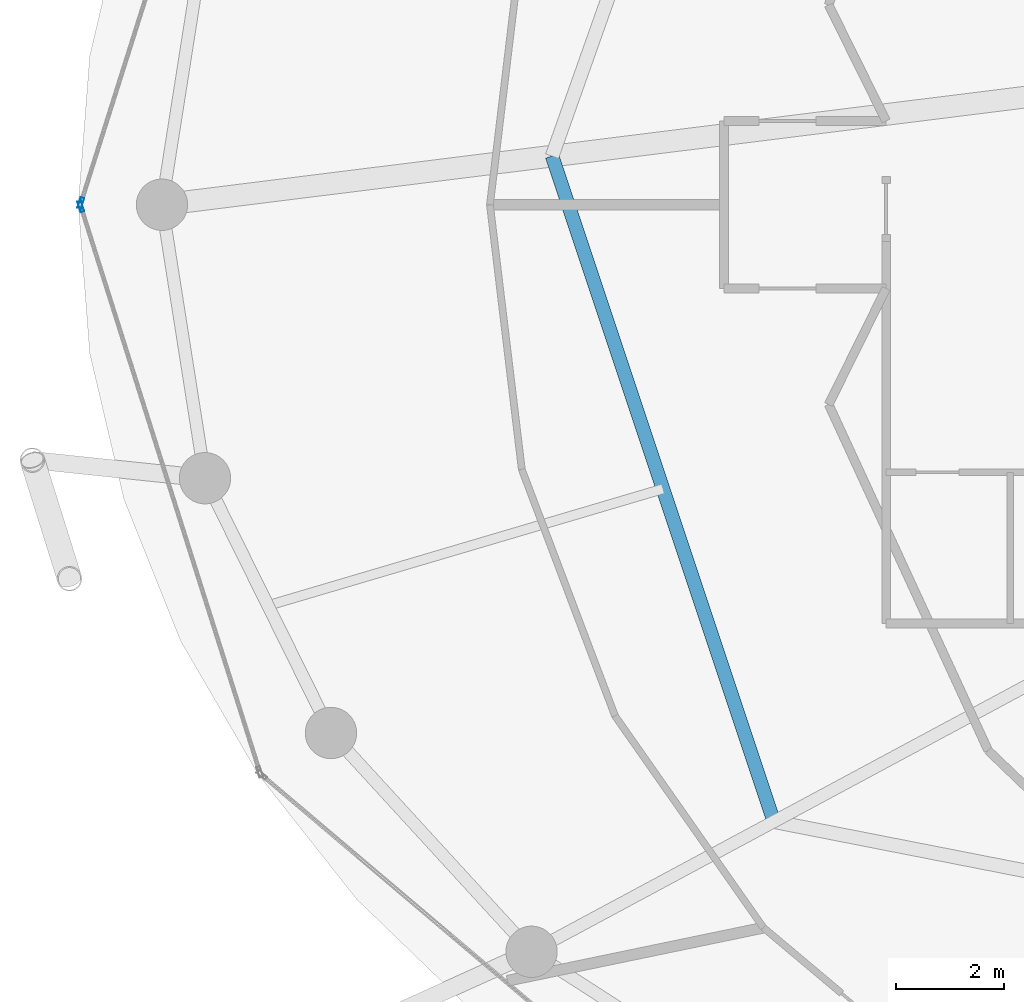
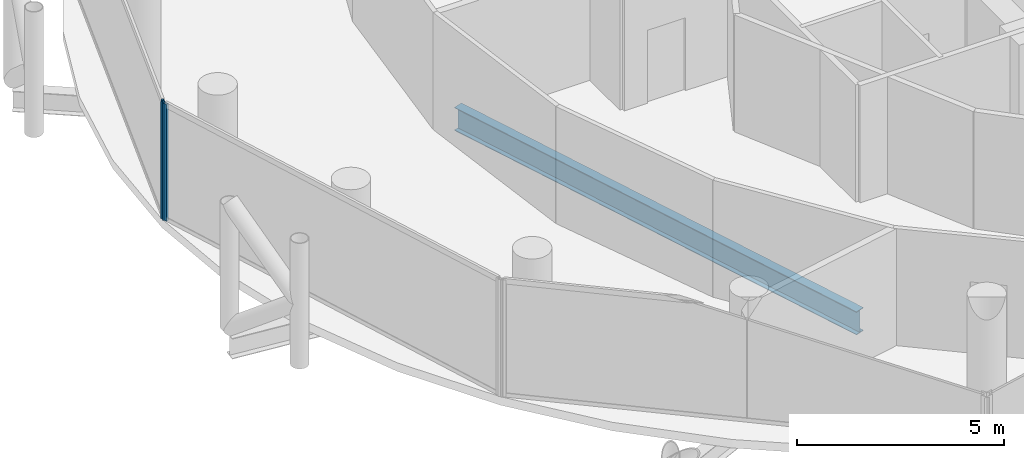
# One storey, part 6 of 26: 2 members, 1 beam, 2 elements without a shape of their own.
"""IFC4 building model written with IfcOpenShell, lengths in metres."""

from ifc_helpers import new_model, si_unit, direction, frame, origin, origin_2d, place, context, subcontext, project, spatial, hollow_rectangle, i_section, extrude, material, layer, layer_set, material_profile, profile_set, type_object, element, aggregate, save


model = new_model("IFC4")

# Units and contexts
model_context = context("Model", 3, precision=1e-05, world=origin(), true_north=direction((0.0, 1.0)))
body_context = subcontext(model_context, "Body", "Model", "MODEL_VIEW")
ifc_project = project(units=[si_unit("LENGTHUNIT", "METRE"), si_unit("AREAUNIT", "SQUARE_METRE"), si_unit("VOLUMEUNIT", "CUBIC_METRE"), si_unit("PLANEANGLEUNIT", "RADIAN"), si_unit("MASSUNIT", "GRAM", prefix="KILO")], contexts=[model_context])

# Site, building, storey
site_placement = place(None, origin())
site = spatial("IfcSite", under=ifc_project, at=site_placement, CompositionType="ELEMENT")
building_placement = place(site_placement, origin())
building = spatial("IfcBuilding", under=site, at=building_placement, Name="Nuhasar Tower", CompositionType="ELEMENT")
storey_placement = place(building_placement, frame((0.0, 0.0, 166.35009765625)))
storey = spatial("IfcBuildingStorey", under=building, at=storey_placement, Name="L40", CompositionType="ELEMENT", Elevation=166.35009765625)

# Beam
ifc_material_1 = material(Name="Steel S355", Category="steel")
ifc_material_profile_1 = material_profile(ifc_material_1, i_section(OverallWidth=0.25390625, OverallDepth=0.68408203125, WebThickness=0.012451171875, FlangeThickness=0.018798828125, at=origin_2d()), Name="W27X94")
ifc_profile_set_1 = profile_set([ifc_material_profile_1], Name="Steel S355")
beam_type = type_object("IfcBeamType", Name="BM-INRING-W27X94", PredefinedType="BEAM", material=ifc_profile_set_1)
beam_placement = place(storey_placement, frame((22.8701171875, 27.699951171875, -0.592041015625), z_axis=(0.31609797573, -0.948726551615, 0.0), x_axis=(0.948726551615, 0.31609797573, 0.0)))
element("IfcBeam", 1, at=beam_placement, inside=storey, type_object=beam_type, Name="L40 Inner Header Beam 08", PredefinedType="BEAM", context=body_context, shape_type="SweptSolid", body=[
    extrude(i_section(OverallWidth=0.25390625, OverallDepth=0.68408203125, WebThickness=0.012451171875, FlangeThickness=0.018798828125, at=origin_2d()), origin(), (0.0, 0.0, 1.0), 12.9794921875),
])

# Curtain wall, member
ifc_material_2 = material(Name="Aluminium 6063-T6", Category="aluminium")
ifc_layer = layer(ifc_material_2, 0.199951171875)
ifc_layer_set = layer_set([ifc_layer], Name="Aluminium 6063-T6")
curtain_wall_type = type_object("IfcCurtainWallType", Name="CW-Z2-HTL", PredefinedType="NOTDEFINED", material=ifc_layer_set)
curtain_wall_1_placement = place(storey_placement, origin())
curtain_wall_1 = element("IfcCurtainWall", 2, at=curtain_wall_1_placement, inside=storey, type_object=curtain_wall_type, Name="L40 Unitised Curtain Wall 06", PredefinedType="NOTDEFINED")
ifc_material_profile_2 = material_profile(ifc_material_2, hollow_rectangle(XDim=0.070068359375, YDim=0.199951171875, WallThickness=0.0048828125, at=origin_2d()), Name="CWM-3")
ifc_profile_set_2 = profile_set([ifc_material_profile_2], Name="Aluminium 6063-T6")
member_type = type_object("IfcMemberType", Name="CW-MUL-S3", PredefinedType="MULLION", material=ifc_profile_set_2)
member_1_placement = place(storey_placement, frame((14.150634765625, 26.833251953125, 0.0), z_axis=(0.0, 0.0, 1.0), x_axis=(0.953433389233, -0.301603667577, 0.0)))
member_1 = element("IfcMember", 3, at=member_1_placement, type_object=member_type, Name="CW-Z2 mullion 2", PredefinedType="MULLION", context=body_context, shape_type="SweptSolid", body=[
    extrude(hollow_rectangle(XDim=0.070068359375, YDim=0.199951171875, WallThickness=0.0048828125, at=origin_2d()), origin(), (0.0, 0.0, 1.0), 3.449951171875),
])
aggregate(curtain_wall_1, [member_1])

curtain_wall_2_placement = place(storey_placement, origin())
curtain_wall_2 = element("IfcCurtainWall", 4, at=curtain_wall_2_placement, inside=storey, type_object=curtain_wall_type, Name="L40 Unitised Curtain Wall 07", PredefinedType="NOTDEFINED")
member_2_placement = place(storey_placement, frame((14.150634765625, 26.7666015625, 0.0), z_axis=(0.0, 0.0, 1.0), x_axis=(0.953433389233, 0.301603667577, 0.0)))
member_2 = element("IfcMember", 5, at=member_2_placement, type_object=member_type, Name="CW-Z2 mullion 1", PredefinedType="MULLION", context=body_context, shape_type="SweptSolid", body=[
    extrude(hollow_rectangle(XDim=0.070068359375, YDim=0.199951171875, WallThickness=0.0048828125, at=origin_2d()), origin(), (0.0, 0.0, 1.0), 3.449951171875),
])
aggregate(curtain_wall_2, [member_2])

save(model, "model.ifc")
